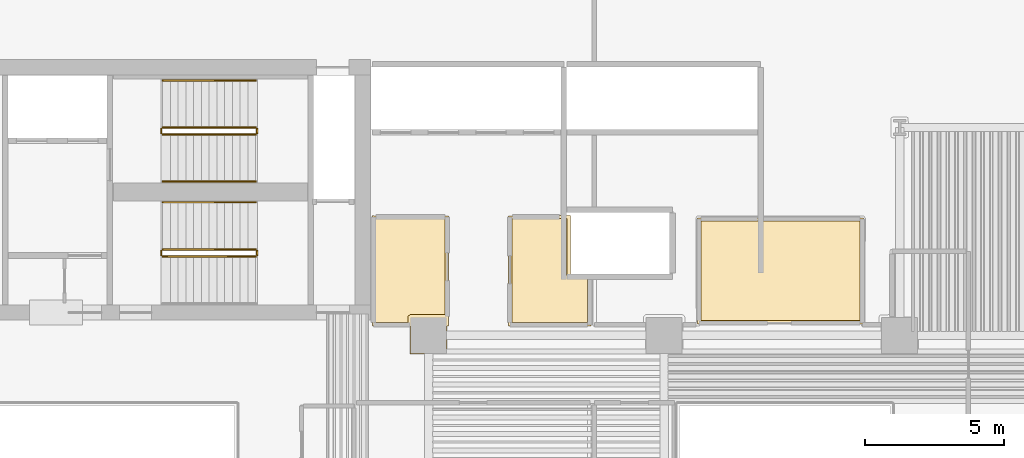
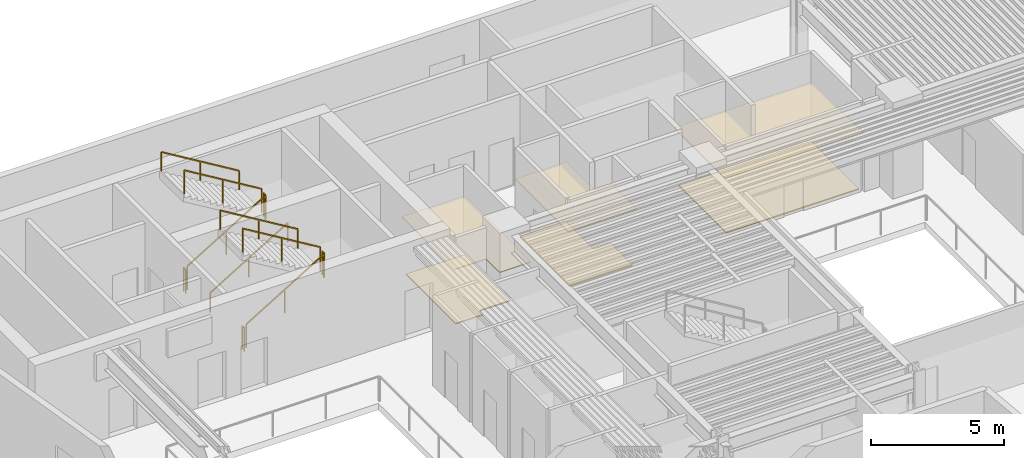
# One storey, part 10 of 11: 11 railings, 6 coverings.
"""IFC4 building model written with IfcOpenShell, lengths in metres."""

from ifc_helpers import new_model, si_unit, direction, frame, origin, origin_2d, place, context, subcontext, project, spatial, polyline, rectangle, outline, extrude, material, layer, layer_set, type_object, element, save


model = new_model("IFC4")

# Units and contexts
model_context = context("Model", 3, precision=1e-05, world=origin(), true_north=direction((0.0, 1.0)))
body_context = subcontext(model_context, "Body", "Model", "MODEL_VIEW")
ifc_project = project(units=[si_unit("LENGTHUNIT", "METRE"), si_unit("AREAUNIT", "SQUARE_METRE"), si_unit("VOLUMEUNIT", "CUBIC_METRE"), si_unit("PLANEANGLEUNIT", "RADIAN"), si_unit("MASSUNIT", "GRAM", prefix="KILO")], contexts=[model_context])

# Site, building, storey
site_placement = place(None, origin())
site = spatial("IfcSite", under=ifc_project, at=site_placement, CompositionType="ELEMENT")
building_placement = place(site_placement, origin())
building = spatial("IfcBuilding", under=site, at=building_placement, Name="Caeloran Harvest Quay", CompositionType="ELEMENT")
storey_placement = place(building_placement, frame((0.0, 0.0, 53.39990234375)))
storey = spatial("IfcBuildingStorey", under=building, at=storey_placement, Name="L12", CompositionType="ELEMENT", Elevation=53.39990234375)

# Coverings
ifc_material_1 = material(Name="Perforated Mineral-Fibre Acoustic Ceiling Tile", Category="ceiling")
ifc_layer_1 = layer(ifc_material_1, 0.0400390625, Name="Perforated Mineral-Fibre Acoustic Ceiling Tile")
ifc_layer_set_1 = layer_set([ifc_layer_1], Name="Perforated Mineral-Fibre Acoustic Ceiling Tile")
covering_type_1 = type_object("IfcCoveringType", Name="COV-CEILING-ACOUSTIC", PredefinedType="CEILING", material=ifc_layer_set_1)
covering_1_placement = place(storey_placement, frame((0.0, 0.0, 2.60009765625)))
element("IfcCovering", 1, at=covering_1_placement, inside=storey, type_object=covering_type_1, Name="L12 Core Telemetry Control Room Acoustic Ceiling", PredefinedType="CEILING", context=body_context, shape_type="SweptSolid", body=[
    extrude(outline(polyline([(41.18994140625, 35.239990234375), (41.18994140625, 31.409912109375), (35.2099609375, 31.409912109375), (35.2099609375, 35.239990234375), (41.18994140625, 35.239990234375)])), origin(), (0.0, 0.0, 1.0), 0.0400390625),
])
covering_2_placement = place(storey_placement, frame((0.0, 0.0, 2.60009765625)))
element("IfcCovering", 2, at=covering_2_placement, inside=storey, type_object=covering_type_1, Name="Seedling Sensory Salon Lounge 10 Acoustic Ceiling", PredefinedType="CEILING", context=body_context, shape_type="SweptSolid", body=[
    extrude(outline(polyline([(30.212890625, 35.31005859375), (30.22021484375, 35.330078125), (30.610107421875, 35.330078125), (30.610107421875, 33.2099609375), (31.360107421875, 33.2099609375), (31.360107421875, 31.340087890625), (28.389892578125, 31.340087890625), (28.389892578125, 35.31005859375), (30.212890625, 35.31005859375)])), origin(), (0.0, 0.0, 1.0), 0.0400390625),
])
covering_3_placement = place(storey_placement, frame((0.0, 0.0, 2.60009765625)))
element("IfcCovering", 3, at=covering_3_placement, inside=storey, type_object=covering_type_1, Name="Pollination Dining Lounge 11 Acoustic Ceiling", PredefinedType="CEILING", context=body_context, shape_type="SweptSolid", body=[
    extrude(outline(polyline([(26.169921875, 30.330078125), (24.830078125, 30.330078125), (24.830078125, 31.340087890625), (23.469970703125, 31.340087890625), (23.469970703125, 35.32861328125), (23.521728515625, 35.31005859375), (26.2099609375, 35.31005859375), (26.2099609375, 31.340087890625), (26.169921875, 31.340087890625), (26.169921875, 30.330078125)])), origin(), (0.0, 0.0, 1.0), 0.0400390625),
])
ifc_material_2 = material(Name="Calcium-Sulphate Raised Access Floor and Terrazzo Finish", Category="flooring")
ifc_layer_2 = layer(ifc_material_2, 0.050048828125, Name="Calcium-Sulphate Raised Access Floor and Terrazzo Finish")
ifc_layer_set_2 = layer_set([ifc_layer_2], Name="Calcium-Sulphate Raised Access Floor and Terrazzo Finish")
covering_type_2 = type_object("IfcCoveringType", Name="COV-FLOOR-RAISED", PredefinedType="FLOORING", material=ifc_layer_set_2)
covering_4_placement = place(storey_placement, origin())
element("IfcCovering", 4, at=covering_4_placement, inside=storey, type_object=covering_type_2, Name="L12 Core Telemetry Control Room Raised Finish Flooring", PredefinedType="FLOORING", context=body_context, shape_type="SweptSolid", body=[
    extrude(outline(polyline([(41.070068359375, 35.1201171875), (41.070068359375, 31.530029296875), (35.330078125, 31.530029296875), (35.330078125, 35.1201171875), (41.070068359375, 35.1201171875)])), origin(), (0.0, 0.0, 1.0), 0.050048828125),
])
covering_5_placement = place(storey_placement, origin())
element("IfcCovering", 5, at=covering_5_placement, inside=storey, type_object=covering_type_2, Name="Seedling Sensory Salon Lounge 10 Raised Finish Flooring", PredefinedType="FLOORING", context=body_context, shape_type="SweptSolid", body=[
    extrude(outline(polyline([(28.510009765625, 35.18994140625), (30.489990234375, 35.2099609375), (30.5, 33.154296875), (30.593017578125, 33.090087890625), (31.239990234375, 33.090087890625), (31.239990234375, 31.4599609375), (28.510009765625, 31.4599609375), (28.510009765625, 35.18994140625)])), origin(), (0.0, 0.0, 1.0), 0.050048828125),
])
covering_6_placement = place(storey_placement, origin())
element("IfcCovering", 6, at=covering_6_placement, inside=storey, type_object=covering_type_2, Name="Pollination Dining Lounge 11 Raised Finish Flooring", PredefinedType="FLOORING", context=body_context, shape_type="SweptSolid", body=[
    extrude(outline(polyline([(23.590087890625, 35.18994140625), (26.090087890625, 35.18994140625), (26.090087890625, 31.7451171875), (24.8271484375, 31.74462890625), (24.75830078125, 31.688232421875), (24.7548828125, 31.4599609375), (23.590087890625, 31.4599609375), (23.590087890625, 35.18994140625)])), origin(), (0.0, 0.0, 1.0), 0.050048828125),
])

# Railings
ifc_material_3 = material(Name="Painted Steel Baluster and Top-Rail Stair Guard", Category="steel")
ifc_layer_3 = layer(ifc_material_3, 0.050048828125, Name="Painted Steel Baluster and Top-Rail Stair Guard")
ifc_layer_set_3 = layer_set([ifc_layer_3], Name="Painted Steel Baluster and Top-Rail Stair Guard")
railing_type_1 = type_object("IfcRailingType", Name="STAIR-GUARD-1100", PredefinedType="GUARDRAIL", material=ifc_layer_set_3)
railing_1_placement = place(storey_placement, frame((15.89990234375, 38.25, 0.16943359375)))
element("IfcRailing", 7, at=railing_1_placement, inside=storey, type_object=railing_type_1, Name="L12 ST-C1 stair guard 1", PredefinedType="GUARDRAIL", context=body_context, shape_type="SweptSolid", body=[
    extrude(rectangle(XDim=0.048095703125, YDim=0.048095703125, at=origin_2d()), frame((0.0, 0.0, 1.076171875), z_axis=(0.855836976705, 0.0, 0.517245656632), x_axis=(0.0, 1.0, 0.0)), (0.0, 0.0, 1.0), 3.926025390625),
    extrude(rectangle(XDim=0.0419921875, YDim=0.0419921875, at=origin_2d()), origin(), (0.0, 0.0, 1.0), 1.052001953125),
    extrude(rectangle(XDim=0.0419921875, YDim=0.0419921875, at=origin_2d()), frame((1.68017578125, 0.0, 1.015380859375)), (0.0, 0.0, 1.0), 1.052001953125),
    extrude(rectangle(XDim=0.0419921875, YDim=0.0419921875, at=origin_2d()), frame((3.360107421875, 0.0, 2.03076171875)), (0.0, 0.0, 1.0), 1.052001953125),
])
railing_2_placement = place(storey_placement, frame((19.31005859375, 38.300048828125, 2.2001953125)))
element("IfcRailing", 8, at=railing_2_placement, inside=storey, type_object=railing_type_1, Name="L12 ST-C1 stair guard 2", PredefinedType="GUARDRAIL", context=body_context, shape_type="SweptSolid", body=[
    extrude(rectangle(XDim=0.048095703125, YDim=0.048095703125, at=origin_2d()), frame((0.0, 0.0, 1.076171875), z_axis=(0.0, 1.0, 0.0), x_axis=(-1.0, 0.0, 0.0)), (0.0, 0.0, 1.0), 0.14990234375),
    extrude(rectangle(XDim=0.0419921875, YDim=0.0419921875, at=origin_2d()), origin(), (0.0, 0.0, 1.0), 1.052001953125),
    extrude(rectangle(XDim=0.0419921875, YDim=0.0419921875, at=origin_2d()), frame((0.0, 0.14990234375, 0.0)), (0.0, 0.0, 1.0), 1.052001953125),
])
railing_3_placement = place(storey_placement, frame((19.260009765625, 38.5, 2.369384765625)))
element("IfcRailing", 9, at=railing_3_placement, inside=storey, type_object=railing_type_1, Name="L12 ST-C1 stair guard 3", PredefinedType="GUARDRAIL", context=body_context, shape_type="SweptSolid", body=[
    extrude(rectangle(XDim=0.048095703125, YDim=0.048095703125, at=origin_2d()), frame((0.0, 0.0, 1.076171875), z_axis=(-0.855836976705, 0.0, 0.517245656632), x_axis=(0.0, -1.0, 0.0)), (0.0, 0.0, 1.0), 3.926025390625),
    extrude(rectangle(XDim=0.0419921875, YDim=0.0419921875, at=origin_2d()), origin(), (0.0, 0.0, 1.0), 1.052001953125),
    extrude(rectangle(XDim=0.0419921875, YDim=0.0419921875, at=origin_2d()), frame((-1.68017578125, 0.0, 1.015380859375)), (0.0, 0.0, 1.0), 1.052001953125),
    extrude(rectangle(XDim=0.0419921875, YDim=0.0419921875, at=origin_2d()), frame((-3.360107421875, 0.0, 2.03076171875)), (0.0, 0.0, 1.0), 1.052001953125),
])
railing_4_placement = place(storey_placement, frame((15.85009765625, 38.300048828125, 0.0)))
element("IfcRailing", 10, at=railing_4_placement, inside=storey, type_object=railing_type_1, Name="L12 ST-C1 stair guard 4", PredefinedType="GUARDRAIL", context=body_context, shape_type="SweptSolid", body=[
    extrude(rectangle(XDim=0.048095703125, YDim=0.048095703125, at=origin_2d()), frame((0.0, 0.0, 1.076171875), z_axis=(0.0, 1.0, 0.0), x_axis=(-1.0, 0.0, 0.0)), (0.0, 0.0, 1.0), 0.14990234375),
    extrude(rectangle(XDim=0.0419921875, YDim=0.0419921875, at=origin_2d()), origin(), (0.0, 0.0, 1.0), 1.052001953125),
    extrude(rectangle(XDim=0.0419921875, YDim=0.0419921875, at=origin_2d()), frame((0.0, 0.14990234375, 0.0)), (0.0, 0.0, 1.0), 1.052001953125),
])
railing_5_placement = place(storey_placement, frame((15.89990234375, 33.85009765625, 0.16943359375)))
element("IfcRailing", 11, at=railing_5_placement, inside=storey, type_object=railing_type_1, Name="L12 ST-C2 stair guard 1", PredefinedType="GUARDRAIL", context=body_context, shape_type="SweptSolid", body=[
    extrude(rectangle(XDim=0.048095703125, YDim=0.048095703125, at=origin_2d()), frame((0.0, 0.0, 1.076171875), z_axis=(0.855836976705, 0.0, 0.517245656632), x_axis=(0.0, 1.0, 0.0)), (0.0, 0.0, 1.0), 3.926025390625),
    extrude(rectangle(XDim=0.0419921875, YDim=0.0419921875, at=origin_2d()), origin(), (0.0, 0.0, 1.0), 1.052001953125),
    extrude(rectangle(XDim=0.0419921875, YDim=0.0419921875, at=origin_2d()), frame((1.68017578125, 0.0, 1.015380859375)), (0.0, 0.0, 1.0), 1.052001953125),
    extrude(rectangle(XDim=0.0419921875, YDim=0.0419921875, at=origin_2d()), frame((3.360107421875, 0.0, 2.03076171875)), (0.0, 0.0, 1.0), 1.052001953125),
])
railing_6_placement = place(storey_placement, frame((19.31005859375, 33.89990234375, 2.2001953125)))
element("IfcRailing", 12, at=railing_6_placement, inside=storey, type_object=railing_type_1, Name="L12 ST-C2 stair guard 2", PredefinedType="GUARDRAIL", context=body_context, shape_type="SweptSolid", body=[
    extrude(rectangle(XDim=0.048095703125, YDim=0.048095703125, at=origin_2d()), frame((0.0, 0.0, 1.076171875), z_axis=(0.0, 1.0, 0.0), x_axis=(-1.0, 0.0, 0.0)), (0.0, 0.0, 1.0), 0.150146484375),
    extrude(rectangle(XDim=0.0419921875, YDim=0.0419921875, at=origin_2d()), origin(), (0.0, 0.0, 1.0), 1.052001953125),
    extrude(rectangle(XDim=0.0419921875, YDim=0.0419921875, at=origin_2d()), frame((0.0, 0.150146484375, 0.0)), (0.0, 0.0, 1.0), 1.052001953125),
])
railing_7_placement = place(storey_placement, frame((19.260009765625, 34.10009765625, 2.369384765625)))
element("IfcRailing", 13, at=railing_7_placement, inside=storey, type_object=railing_type_1, Name="L12 ST-C2 stair guard 3", PredefinedType="GUARDRAIL", context=body_context, shape_type="SweptSolid", body=[
    extrude(rectangle(XDim=0.048095703125, YDim=0.048095703125, at=origin_2d()), frame((0.0, 0.0, 1.076171875), z_axis=(-0.855836976705, 0.0, 0.517245656632), x_axis=(0.0, -1.0, 0.0)), (0.0, 0.0, 1.0), 3.926025390625),
    extrude(rectangle(XDim=0.0419921875, YDim=0.0419921875, at=origin_2d()), origin(), (0.0, 0.0, 1.0), 1.052001953125),
    extrude(rectangle(XDim=0.0419921875, YDim=0.0419921875, at=origin_2d()), frame((-1.68017578125, 0.0, 1.015380859375)), (0.0, 0.0, 1.0), 1.052001953125),
    extrude(rectangle(XDim=0.0419921875, YDim=0.0419921875, at=origin_2d()), frame((-3.360107421875, 0.0, 2.03076171875)), (0.0, 0.0, 1.0), 1.052001953125),
])
railing_8_placement = place(storey_placement, frame((15.85009765625, 33.89990234375, 0.0)))
element("IfcRailing", 14, at=railing_8_placement, inside=storey, type_object=railing_type_1, Name="L12 ST-C2 stair guard 4", PredefinedType="GUARDRAIL", context=body_context, shape_type="SweptSolid", body=[
    extrude(rectangle(XDim=0.048095703125, YDim=0.048095703125, at=origin_2d()), frame((0.0, 0.0, 1.076171875), z_axis=(0.0, 1.0, 0.0), x_axis=(-1.0, 0.0, 0.0)), (0.0, 0.0, 1.0), 0.150146484375),
    extrude(rectangle(XDim=0.0419921875, YDim=0.0419921875, at=origin_2d()), origin(), (0.0, 0.0, 1.0), 1.052001953125),
    extrude(rectangle(XDim=0.0419921875, YDim=0.0419921875, at=origin_2d()), frame((0.0, 0.150146484375, 0.0)), (0.0, 0.0, 1.0), 1.052001953125),
])
ifc_material_4 = material(Name="Brushed Stainless Steel Grade 304", Category="steel")
ifc_layer_4 = layer(ifc_material_4, 0.050048828125, Name="Brushed Stainless Steel Grade 304")
ifc_layer_set_4 = layer_set([ifc_layer_4], Name="Brushed Stainless Steel Grade 304")
railing_type_2 = type_object("IfcRailingType", Name="STAIR-HANDRAIL-900", PredefinedType="HANDRAIL", material=ifc_layer_set_4)
railing_9_placement = place(storey_placement, frame((15.89990234375, 36.550048828125, 0.16943359375)))
element("IfcRailing", 15, at=railing_9_placement, inside=storey, type_object=railing_type_2, Name="L12 ST-C1 stair handrail 1", PredefinedType="HANDRAIL", context=body_context, shape_type="SweptSolid", body=[
    extrude(rectangle(XDim=0.048095703125, YDim=0.048095703125, at=origin_2d()), frame((0.0, 0.0, 0.8759765625), z_axis=(0.855836976705, 0.0, 0.517245656632), x_axis=(0.0, 1.0, 0.0)), (0.0, 0.0, 1.0), 3.926025390625),
    extrude(rectangle(XDim=0.0419921875, YDim=0.0419921875, at=origin_2d()), origin(), (0.0, 0.0, 1.0), 0.851806640625),
    extrude(rectangle(XDim=0.0419921875, YDim=0.0419921875, at=origin_2d()), frame((1.68017578125, 0.0, 1.015380859375)), (0.0, 0.0, 1.0), 0.851806640625),
    extrude(rectangle(XDim=0.0419921875, YDim=0.0419921875, at=origin_2d()), frame((3.360107421875, 0.0, 2.03076171875)), (0.0, 0.0, 1.0), 0.851806640625),
])
for number, where, name in (
    (16, (19.260009765625, 40.199951171875, 2.369384765625), "L12 ST-C1 stair handrail 2"),
    (17, (19.260009765625, 35.800048828125, 2.369384765625), "L12 ST-C2 stair handrail 2"),
):
    element("IfcRailing", number, at=place(storey_placement, frame(where)), inside=storey, type_object=railing_type_2, Name=name, PredefinedType="HANDRAIL", context=body_context, shape_type="SweptSolid", body=[
        extrude(rectangle(XDim=0.048095703125, YDim=0.048095703125, at=origin_2d()), frame((0.0, 0.0, 0.8759765625), z_axis=(-0.855836976705, 0.0, 0.517245656632), x_axis=(0.0, -1.0, 0.0)), (0.0, 0.0, 1.0), 3.926025390625),
        extrude(rectangle(XDim=0.0419921875, YDim=0.0419921875, at=origin_2d()), origin(), (0.0, 0.0, 1.0), 0.851806640625),
        extrude(rectangle(XDim=0.0419921875, YDim=0.0419921875, at=origin_2d()), frame((-1.68017578125, 0.0, 1.015380859375)), (0.0, 0.0, 1.0), 0.851806640625),
        extrude(rectangle(XDim=0.0419921875, YDim=0.0419921875, at=origin_2d()), frame((-3.360107421875, 0.0, 2.03076171875)), (0.0, 0.0, 1.0), 0.851806640625),
    ])

save(model, "model.ifc")
